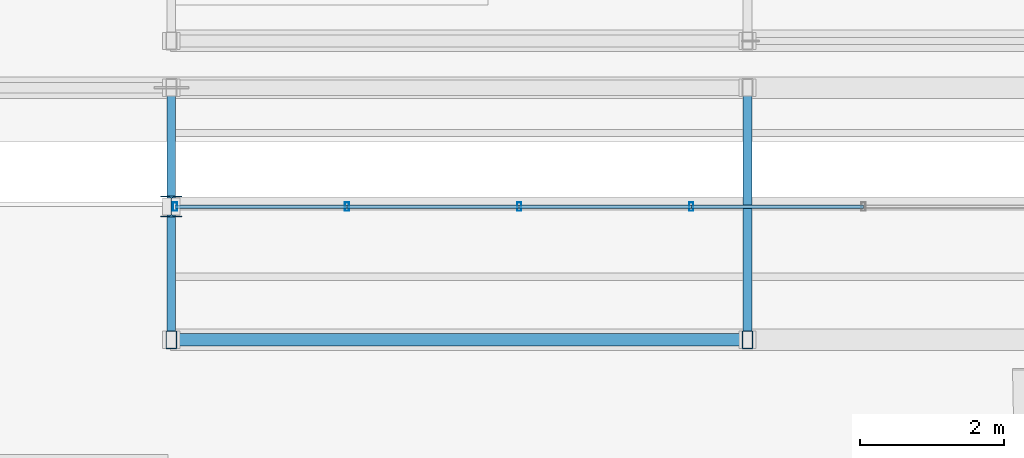
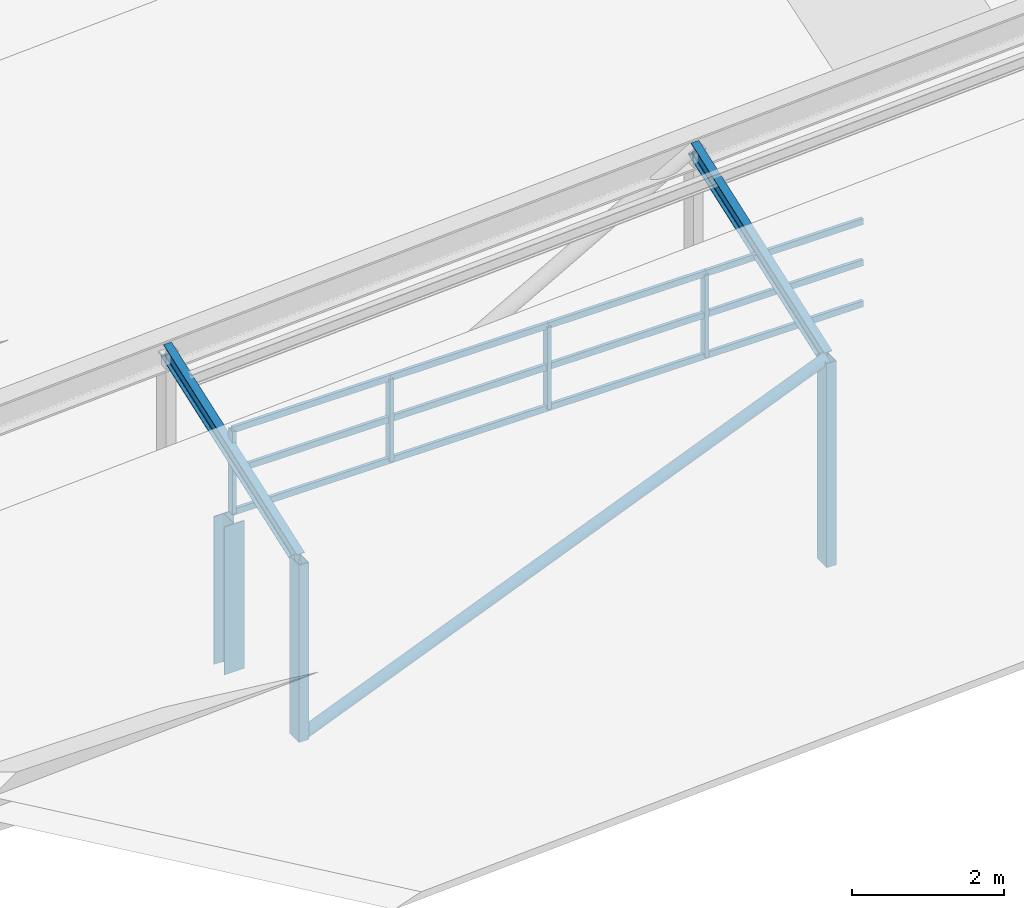
# One storey, part 1 of 141: 22 members, 1 element without a shape of its own.
"""IFC4 building model written with IfcOpenShell, lengths in metres."""

from ifc_helpers import new_model, si_unit, direction, frame, origin, origin_2d, place, context, subcontext, project, spatial, hollow_rectangle, hollow_circle, i_section, extrude, material, material_profile, profile_set, type_object, element, aggregate, save


model = new_model("IFC4")

# Units and contexts
model_context = context("Model", 3, precision=1e-05, world=origin(), true_north=direction((0.0, 1.0)))
body_context = subcontext(model_context, "Body", "Model", "MODEL_VIEW")
ifc_project = project(units=[si_unit("LENGTHUNIT", "METRE"), si_unit("AREAUNIT", "SQUARE_METRE"), si_unit("VOLUMEUNIT", "CUBIC_METRE"), si_unit("PLANEANGLEUNIT", "RADIAN"), si_unit("MASSUNIT", "GRAM", prefix="KILO")], contexts=[model_context])

# Site, building, storey
site_placement = place(None, origin())
site = spatial("IfcSite", under=ifc_project, at=site_placement, CompositionType="ELEMENT")
building_placement = place(site_placement, origin())
building = spatial("IfcBuilding", under=site, at=building_placement, Name="Sundkrona Museum", CompositionType="ELEMENT")
storey_placement = place(building_placement, frame((0.0, 0.0, 34.0)))
storey = spatial("IfcBuildingStorey", under=building, at=storey_placement, Name="RF", CompositionType="ELEMENT", Elevation=34.0)

# Member
ifc_material_1 = material(Name="Steel S355J2", Category="steel")
ifc_material_profile_1 = material_profile(ifc_material_1, i_section(OverallWidth=0.300048828125, OverallDepth=0.2900390625, WebThickness=0.008544921875, FlangeThickness=0.013916015625, FilletRadius=0.027099609375, at=origin_2d()), Name="HEA 300")
ifc_profile_set_1 = profile_set([ifc_material_profile_1], Name="Steel S355J2")
member_type_1 = type_object("IfcMemberType", Name="BR-HEA300", PredefinedType="BRACE", material=ifc_profile_set_1)
member_1_placement = place(storey_placement, frame((120.0, 2.199951171875, -0.25), z_axis=(0.0, 0.0, 1.0), x_axis=(1.0, 0.0, 0.0)))
element("IfcMember", 1, at=member_1_placement, inside=storey, type_object=member_type_1, Name="RFS-1 Sawtooth Bay 1 Clerestory Corner Post W", PredefinedType="BRACE", context=body_context, shape_type="SweptSolid", body=[
    extrude(i_section(OverallWidth=0.300048828125, OverallDepth=0.2900390625, WebThickness=0.008544921875, FlangeThickness=0.013916015625, FilletRadius=0.027099609375, at=origin_2d()), origin(), (0.0, 0.0, 1.0), 2.373046875),
])

# Curtain wall, members
ifc_material_2 = material(Name="Unitised Aluminium-Steel and Ceramic-Clad Curtain Walling", Category="steel")
curtain_wall_type = type_object("IfcCurtainWallType", Name="CW-SW-240x13", PredefinedType="NOTDEFINED", material=ifc_material_2)
curtain_wall_placement = place(storey_placement, origin())
curtain_wall = element("IfcCurtainWall", 2, at=curtain_wall_placement, inside=storey, type_object=curtain_wall_type, Name="Sawtooth Bay 1 West North-Light Clerestory", PredefinedType="NOTDEFINED")
ifc_material_3 = material(Name="Aluminium EN AW-6060 T66", Category="aluminium")
ifc_material_profile_2 = material_profile(ifc_material_3, hollow_rectangle(XDim=0.06005859375, YDim=0.1201171875, WallThickness=0.0048828125, at=origin_2d()), Name="RHS 120x60x5.0")
ifc_profile_set_2 = profile_set([ifc_material_profile_2], Name="Aluminium EN AW-6060 T66")
member_type_2 = type_object("IfcMemberType", Name="ML-120", PredefinedType="MULLION", material=ifc_profile_set_2)
member_2_placement = place(storey_placement, frame((120.050048828125, 2.199951171875, 2.212890625), z_axis=(0.0, 0.0, 1.0), x_axis=(1.0, 0.0, 0.0)))
member_2 = element("IfcMember", 3, at=member_2_placement, type_object=member_type_2, Name="CW-RF-SAW-01W Mullion 01", PredefinedType="MULLION", context=body_context, shape_type="SweptSolid", body=[
    extrude(hollow_rectangle(XDim=0.06005859375, YDim=0.1201171875, WallThickness=0.0048828125, at=origin_2d()), origin(), (0.0, 0.0, 1.0), 1.320068359375),
])
member_3_placement = place(storey_placement, frame((122.43994140625, 2.199951171875, 2.212890625), z_axis=(0.0, 0.0, 1.0), x_axis=(1.0, 0.0, 0.0)))
member_3 = element("IfcMember", 4, at=member_3_placement, type_object=member_type_2, Name="CW-RF-SAW-01W Mullion 02", PredefinedType="MULLION", context=body_context, shape_type="SweptSolid", body=[
    extrude(hollow_rectangle(XDim=0.06005859375, YDim=0.1201171875, WallThickness=0.0048828125, at=origin_2d()), origin(), (0.0, 0.0, 1.0), 1.320068359375),
])
member_4_placement = place(storey_placement, frame((124.830078125, 2.199951171875, 2.212890625), z_axis=(0.0, 0.0, 1.0), x_axis=(1.0, 0.0, 0.0)))
member_4 = element("IfcMember", 5, at=member_4_placement, type_object=member_type_2, Name="CW-RF-SAW-01W Mullion 03", PredefinedType="MULLION", context=body_context, shape_type="SweptSolid", body=[
    extrude(hollow_rectangle(XDim=0.06005859375, YDim=0.1201171875, WallThickness=0.0048828125, at=origin_2d()), origin(), (0.0, 0.0, 1.0), 1.320068359375),
])
member_5_placement = place(storey_placement, frame((127.219970703125, 2.199951171875, 2.212890625), z_axis=(0.0, 0.0, 1.0), x_axis=(1.0, 0.0, 0.0)))
member_5 = element("IfcMember", 6, at=member_5_placement, type_object=member_type_2, Name="CW-RF-SAW-01W Mullion 04", PredefinedType="MULLION", context=body_context, shape_type="SweptSolid", body=[
    extrude(hollow_rectangle(XDim=0.06005859375, YDim=0.1201171875, WallThickness=0.0048828125, at=origin_2d()), origin(), (0.0, 0.0, 1.0), 1.320068359375),
])

# Members
ifc_material_profile_3 = material_profile(ifc_material_1, i_section(OverallWidth=0.1201171875, OverallDepth=0.239990234375, WebThickness=0.006103515625, FlangeThickness=0.009765625, FilletRadius=0.014892578125, at=origin_2d()), Name="IPE 240")
ifc_profile_set_3 = profile_set([ifc_material_profile_3], Name="Steel S355J2")
member_type_3 = type_object("IfcMemberType", Name="PR-IPE240", PredefinedType="PURLIN", material=ifc_profile_set_3)
member_6_placement = place(storey_placement, frame((120.0, 0.35009765625, 2.5908203125), z_axis=(0.0, 0.941908281706, 0.335870196434), x_axis=(-1.0, 0.0, 0.0)))
element("IfcMember", 7, at=member_6_placement, inside=storey, type_object=member_type_3, Name="RFS-1 Sawtooth Bay 1 Transverse Rafter 1", PredefinedType="PURLIN", context=body_context, shape_type="SweptSolid", body=[
    extrude(i_section(OverallWidth=0.1201171875, OverallDepth=0.239990234375, WebThickness=0.006103515625, FlangeThickness=0.009765625, FilletRadius=0.014892578125, at=origin_2d()), origin(), (0.0, 0.0, 1.0), 3.7158203125),
])
member_7_placement = place(storey_placement, frame((128.0, 0.35009765625, 3.0234375), z_axis=(0.0, 0.94188749485, 0.335928485015), x_axis=(-1.0, 0.0, 0.0)))
element("IfcMember", 8, at=member_7_placement, inside=storey, type_object=member_type_3, Name="RFS-1 Sawtooth Bay 1 Transverse Rafter 2", PredefinedType="PURLIN", context=body_context, shape_type="SweptSolid", body=[
    extrude(i_section(OverallWidth=0.1201171875, OverallDepth=0.239990234375, WebThickness=0.006103515625, FlangeThickness=0.009765625, FilletRadius=0.014892578125, at=origin_2d()), origin(), (0.0, 0.0, 1.0), 3.716064453125),
])
ifc_material_profile_4 = material_profile(ifc_material_1, hollow_circle(Radius=0.084228515625, WallThickness=0.008056640625, at=origin_2d()), Name="CHS 168.3x8.0")
ifc_profile_set_4 = profile_set([ifc_material_profile_4], Name="Steel S355J2")
member_type_4 = type_object("IfcMemberType", Name="ST-CHS168", PredefinedType="STRUT", material=ifc_profile_set_4)
member_8_placement = place(storey_placement, frame((120.0, 0.35009765625, -0.25), z_axis=(0.925518159062, 0.0, 0.378703231101), x_axis=(0.0, 1.0, 0.0)))
element("IfcMember", 9, at=member_8_placement, inside=storey, type_object=member_type_4, Name="RFS-1 Sawtooth Valley Truss 1 Web Strut 1", PredefinedType="STRUT", context=body_context, shape_type="SweptSolid", body=[
    extrude(hollow_circle(Radius=0.084228515625, WallThickness=0.008056640625, at=origin_2d()), origin(), (0.0, 0.0, 1.0), 8.643798828125),
])
ifc_material_profile_5 = material_profile(ifc_material_1, hollow_rectangle(XDim=0.14990234375, YDim=0.25, WallThickness=0.010009765625, at=origin_2d()), Name="RHS 250x150x10.0")
ifc_profile_set_5 = profile_set([ifc_material_profile_5], Name="Steel S355J2")
member_type_5 = type_object("IfcMemberType", Name="ST-RHS250", PredefinedType="STRUT", material=ifc_profile_set_5)
member_9_placement = place(storey_placement, frame((120.0, 0.35009765625, -0.25), z_axis=(0.0, 0.0, 1.0), x_axis=(1.0, 0.0, 0.0)))
element("IfcMember", 10, at=member_9_placement, inside=storey, type_object=member_type_5, Name="RFS-1 Sawtooth Bay 1 Valley Post 1", PredefinedType="STRUT", context=body_context, shape_type="SweptSolid", body=[
    extrude(hollow_rectangle(XDim=0.14990234375, YDim=0.25, WallThickness=0.010009765625, at=origin_2d()), origin(), (0.0, 0.0, 1.0), 2.8408203125),
])
member_10_placement = place(storey_placement, frame((128.0, 0.35009765625, -0.25), z_axis=(0.0, 0.0, 1.0), x_axis=(1.0, 0.0, 0.0)))
element("IfcMember", 11, at=member_10_placement, inside=storey, type_object=member_type_5, Name="RFS-1 Sawtooth Bay 1 Valley Post 2", PredefinedType="STRUT", context=body_context, shape_type="SweptSolid", body=[
    extrude(hollow_rectangle(XDim=0.14990234375, YDim=0.25, WallThickness=0.010009765625, at=origin_2d()), origin(), (0.0, 0.0, 1.0), 3.2734375),
])

# Member
ifc_material_profile_6 = material_profile(ifc_material_3, hollow_rectangle(XDim=0.050048828125, YDim=0.10009765625, WallThickness=0.0048828125, at=origin_2d()), Name="RHS 100x50x5.0")
ifc_profile_set_6 = profile_set([ifc_material_profile_6], Name="Aluminium EN AW-6060 T66")
member_type_6 = type_object("IfcMemberType", Name="TR-100", PredefinedType="USERDEFINED", material=ifc_profile_set_6)
member_11_placement = place(storey_placement, frame((120.050048828125, 2.199951171875, 2.212890625), z_axis=(1.0, 0.0, 0.0), x_axis=(0.0, 1.0, 0.0)))
member_11 = element("IfcMember", 12, at=member_11_placement, type_object=member_type_6, Name="CW-RF-SAW-01W Transom 01", ObjectType="TRANSOM", PredefinedType="USERDEFINED", context=body_context, shape_type="SweptSolid", body=[
    extrude(hollow_rectangle(XDim=0.050048828125, YDim=0.10009765625, WallThickness=0.0048828125, at=origin_2d()), origin(), (0.0, 0.0, 1.0), 2.389892578125),
])

member_12_placement = place(storey_placement, frame((120.050048828125, 2.199951171875, 2.873046875), z_axis=(1.0, 0.0, 0.0), x_axis=(0.0, 1.0, 0.0)))
member_12 = element("IfcMember", 13, at=member_12_placement, type_object=member_type_6, Name="CW-RF-SAW-01W Transom 02", ObjectType="TRANSOM", PredefinedType="USERDEFINED", context=body_context, shape_type="SweptSolid", body=[
    extrude(hollow_rectangle(XDim=0.050048828125, YDim=0.10009765625, WallThickness=0.0048828125, at=origin_2d()), origin(), (0.0, 0.0, 1.0), 2.389892578125),
])

member_13_placement = place(storey_placement, frame((120.050048828125, 2.199951171875, 3.532958984375), z_axis=(1.0, 0.0, 0.0), x_axis=(0.0, 1.0, 0.0)))
member_13 = element("IfcMember", 14, at=member_13_placement, type_object=member_type_6, Name="CW-RF-SAW-01W Transom 03", ObjectType="TRANSOM", PredefinedType="USERDEFINED", context=body_context, shape_type="SweptSolid", body=[
    extrude(hollow_rectangle(XDim=0.050048828125, YDim=0.10009765625, WallThickness=0.0048828125, at=origin_2d()), origin(), (0.0, 0.0, 1.0), 2.389892578125),
])

member_14_placement = place(storey_placement, frame((122.43994140625, 2.199951171875, 2.212890625), z_axis=(1.0, 0.0, 0.0), x_axis=(0.0, 1.0, 0.0)))
member_14 = element("IfcMember", 15, at=member_14_placement, type_object=member_type_6, Name="CW-RF-SAW-01W Transom 04", ObjectType="TRANSOM", PredefinedType="USERDEFINED", context=body_context, shape_type="SweptSolid", body=[
    extrude(hollow_rectangle(XDim=0.050048828125, YDim=0.10009765625, WallThickness=0.0048828125, at=origin_2d()), origin(), (0.0, 0.0, 1.0), 2.39013671875),
])

member_15_placement = place(storey_placement, frame((122.43994140625, 2.199951171875, 2.873046875), z_axis=(1.0, 0.0, 0.0), x_axis=(0.0, 1.0, 0.0)))
member_15 = element("IfcMember", 16, at=member_15_placement, type_object=member_type_6, Name="CW-RF-SAW-01W Transom 05", ObjectType="TRANSOM", PredefinedType="USERDEFINED", context=body_context, shape_type="SweptSolid", body=[
    extrude(hollow_rectangle(XDim=0.050048828125, YDim=0.10009765625, WallThickness=0.0048828125, at=origin_2d()), origin(), (0.0, 0.0, 1.0), 2.39013671875),
])

member_16_placement = place(storey_placement, frame((122.43994140625, 2.199951171875, 3.532958984375), z_axis=(1.0, 0.0, 0.0), x_axis=(0.0, 1.0, 0.0)))
member_16 = element("IfcMember", 17, at=member_16_placement, type_object=member_type_6, Name="CW-RF-SAW-01W Transom 06", ObjectType="TRANSOM", PredefinedType="USERDEFINED", context=body_context, shape_type="SweptSolid", body=[
    extrude(hollow_rectangle(XDim=0.050048828125, YDim=0.10009765625, WallThickness=0.0048828125, at=origin_2d()), origin(), (0.0, 0.0, 1.0), 2.39013671875),
])

member_17_placement = place(storey_placement, frame((124.830078125, 2.199951171875, 2.212890625), z_axis=(1.0, 0.0, 0.0), x_axis=(0.0, 1.0, 0.0)))
member_17 = element("IfcMember", 18, at=member_17_placement, type_object=member_type_6, Name="CW-RF-SAW-01W Transom 07", ObjectType="TRANSOM", PredefinedType="USERDEFINED", context=body_context, shape_type="SweptSolid", body=[
    extrude(hollow_rectangle(XDim=0.050048828125, YDim=0.10009765625, WallThickness=0.0048828125, at=origin_2d()), origin(), (0.0, 0.0, 1.0), 2.389892578125),
])

member_18_placement = place(storey_placement, frame((124.830078125, 2.199951171875, 2.873046875), z_axis=(1.0, 0.0, 0.0), x_axis=(0.0, 1.0, 0.0)))
member_18 = element("IfcMember", 19, at=member_18_placement, type_object=member_type_6, Name="CW-RF-SAW-01W Transom 08", ObjectType="TRANSOM", PredefinedType="USERDEFINED", context=body_context, shape_type="SweptSolid", body=[
    extrude(hollow_rectangle(XDim=0.050048828125, YDim=0.10009765625, WallThickness=0.0048828125, at=origin_2d()), origin(), (0.0, 0.0, 1.0), 2.389892578125),
])

member_19_placement = place(storey_placement, frame((124.830078125, 2.199951171875, 3.532958984375), z_axis=(1.0, 0.0, 0.0), x_axis=(0.0, 1.0, 0.0)))
member_19 = element("IfcMember", 20, at=member_19_placement, type_object=member_type_6, Name="CW-RF-SAW-01W Transom 09", ObjectType="TRANSOM", PredefinedType="USERDEFINED", context=body_context, shape_type="SweptSolid", body=[
    extrude(hollow_rectangle(XDim=0.050048828125, YDim=0.10009765625, WallThickness=0.0048828125, at=origin_2d()), origin(), (0.0, 0.0, 1.0), 2.389892578125),
])

member_20_placement = place(storey_placement, frame((127.219970703125, 2.199951171875, 2.212890625), z_axis=(1.0, 0.0, 0.0), x_axis=(0.0, 1.0, 0.0)))
member_20 = element("IfcMember", 21, at=member_20_placement, type_object=member_type_6, Name="CW-RF-SAW-01W Transom 10", ObjectType="TRANSOM", PredefinedType="USERDEFINED", context=body_context, shape_type="SweptSolid", body=[
    extrude(hollow_rectangle(XDim=0.050048828125, YDim=0.10009765625, WallThickness=0.0048828125, at=origin_2d()), origin(), (0.0, 0.0, 1.0), 2.39013671875),
])

member_21_placement = place(storey_placement, frame((127.219970703125, 2.199951171875, 2.873046875), z_axis=(1.0, 0.0, 0.0), x_axis=(0.0, 1.0, 0.0)))
member_21 = element("IfcMember", 22, at=member_21_placement, type_object=member_type_6, Name="CW-RF-SAW-01W Transom 11", ObjectType="TRANSOM", PredefinedType="USERDEFINED", context=body_context, shape_type="SweptSolid", body=[
    extrude(hollow_rectangle(XDim=0.050048828125, YDim=0.10009765625, WallThickness=0.0048828125, at=origin_2d()), origin(), (0.0, 0.0, 1.0), 2.39013671875),
])

member_22_placement = place(storey_placement, frame((127.219970703125, 2.199951171875, 3.532958984375), z_axis=(1.0, 0.0, 0.0), x_axis=(0.0, 1.0, 0.0)))
member_22 = element("IfcMember", 23, at=member_22_placement, type_object=member_type_6, Name="CW-RF-SAW-01W Transom 12", ObjectType="TRANSOM", PredefinedType="USERDEFINED", context=body_context, shape_type="SweptSolid", body=[
    extrude(hollow_rectangle(XDim=0.050048828125, YDim=0.10009765625, WallThickness=0.0048828125, at=origin_2d()), origin(), (0.0, 0.0, 1.0), 2.39013671875),
])

aggregate(curtain_wall, [member_2, member_3, member_4, member_5, member_11, member_12, member_13, member_14, member_15, member_16, member_17, member_18, member_19, member_20, member_21, member_22])

save(model, "model.ifc")
